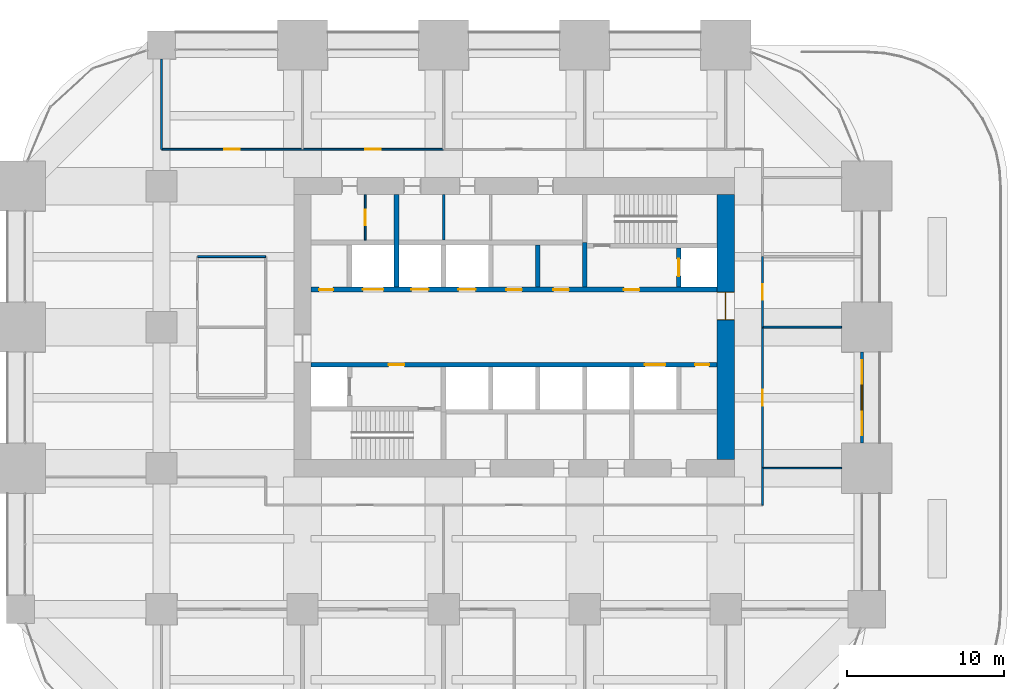
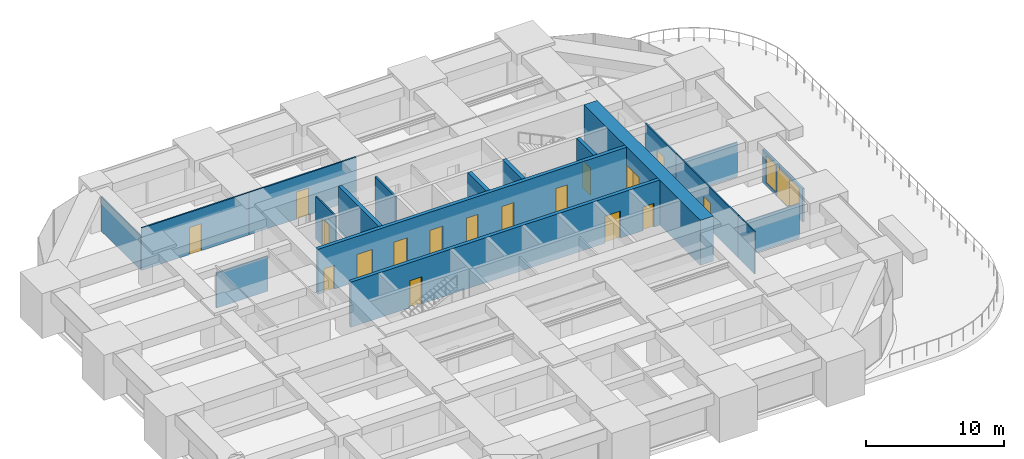
# One storey, part 32 of 35: 19 walls, 18 doors, 2 windows, 20 openings.
"""IFC4 building model written with IfcOpenShell, lengths in metres."""

from ifc_helpers import new_model, si_unit, direction, frame, frame_2d, origin, place, context, subcontext, project, spatial, rectangle, extrude, material, layer, layer_set, type_object, element, fill, save


model = new_model("IFC4")

# Units and contexts
model_context = context("Model", 3, precision=1e-05, world=origin(), true_north=direction((0.0, 1.0)))
body_context = subcontext(model_context, "Body", "Model", "MODEL_VIEW")
ifc_project = project(units=[si_unit("LENGTHUNIT", "METRE"), si_unit("AREAUNIT", "SQUARE_METRE"), si_unit("VOLUMEUNIT", "CUBIC_METRE"), si_unit("PLANEANGLEUNIT", "RADIAN"), si_unit("MASSUNIT", "GRAM", prefix="KILO")], contexts=[model_context])

# Site, building, storey
site_placement = place(None, origin())
site = spatial("IfcSite", under=ifc_project, at=site_placement, CompositionType="ELEMENT")
building_placement = place(site_placement, origin())
building = spatial("IfcBuilding", under=site, at=building_placement, Name="Zorevar Civic Tower", CompositionType="ELEMENT")
storey_placement = place(building_placement, frame((0.0, 0.0, 162.199951171875)))
storey = spatial("IfcBuildingStorey", under=building, at=storey_placement, Name="L39", CompositionType="ELEMENT", Elevation=162.199951171875)

# Wall, opening, door
ifc_material_1 = material(Name="Concrete C50/60", Category="concrete")
ifc_layer_1 = layer(ifc_material_1, 1.10009765625)
ifc_layer_set_1 = layer_set([ifc_layer_1], Name="Core wall 1100")
wall_type_1 = type_object("IfcWallType", Name="Core wall 1100", PredefinedType="SHEAR", material=ifc_layer_set_1)
wall_1_placement = place(storey_placement, frame((45.0, 18.550048828125, 0.0), z_axis=(0.0, 0.0, 1.0), x_axis=(0.0, 1.0, 0.0)))
wall_1 = element("IfcWall", 1, at=wall_1_placement, inside=storey, type_object=wall_type_1, Name="Core wall E L39", PredefinedType="SHEAR", context=body_context, shape_type="SweptSolid", body=[
    extrude(rectangle(XDim=16.89990234375, YDim=1.10009765625, at=frame_2d((8.449951171875, 0.0))), origin(), (0.0, 0.0, 1.0), 4.0),
])
opening_1_placement = place(wall_1_placement, frame((8.89990234375, 0.0, 0.0)))
opening_1 = element("IfcOpeningElement", 2, at=opening_1_placement, cuts=wall_1, Name="Opening L39.02", PredefinedType="OPENING", context=body_context, shape_type="SweptSolid", body=[
    extrude(rectangle(XDim=1.800048828125, YDim=2.39990234375, at=frame_2d((0.89990234375, 1.199951171875))), frame((0.0, 0.56005859375, 0.0), z_axis=(0.0, -1.0, 0.0), x_axis=(1.0, 0.0, 0.0)), (0.0, 0.0, 1.0), 1.1201171875),
])
ifc_material_2 = material(Name="Steel door set", Category="steel")
door_type_1 = type_object("IfcDoorType", Name="Fire door FD2 1800x2400", OperationType="DOUBLE_DOOR_DOUBLE_SWING", PredefinedType="DOOR", material=ifc_material_2)
door_1_placement = place(opening_1_placement, origin())
door_1 = element("IfcDoor", 3, at=door_1_placement, inside=storey, type_object=door_type_1, Name="Door L39 01", OperationType="DOUBLE_DOOR_DOUBLE_SWING", OverallHeight=2.39990234375, OverallWidth=1.800048828125, PredefinedType="DOOR", context=body_context, shape_type="SweptSolid", body=[
    extrude(rectangle(XDim=1.800048828125, YDim=2.39990234375, at=frame_2d((0.89990234375, 1.199951171875))), frame((0.0, 0.030029296875, 0.0), z_axis=(0.0, -1.0, 0.0), x_axis=(1.0, 0.0, 0.0)), (0.0, 0.0, 1.0), 0.06005859375),
    extrude(rectangle(XDim=0.04, YDim=2.39990234375, at=frame_2d((0.02001953125, 1.199951171875))), frame((0.0, 0.5498046875, 0.0), z_axis=(0.0, -1.0, 0.0), x_axis=(1.0, 0.0, 0.0)), (0.0, 0.0, 1.0), 1.099609375),
    extrude(rectangle(XDim=0.04, YDim=2.39990234375, at=frame_2d((1.780029296875, 1.199951171875))), frame((0.0, 0.5498046875, 0.0), z_axis=(0.0, -1.0, 0.0), x_axis=(1.0, 0.0, 0.0)), (0.0, 0.0, 1.0), 1.099609375),
    extrude(rectangle(XDim=1.800048828125, YDim=0.04, at=frame_2d((0.89990234375, 2.3798828125))), frame((0.0, 0.5498046875, 0.0), z_axis=(0.0, -1.0, 0.0), x_axis=(1.0, 0.0, 0.0)), (0.0, 0.0, 1.0), 1.099609375),
])
fill(opening_1, door_1)

# Walls
ifc_material_3 = material(Name="Laminated glass in black aluminium frame", Category="aluminium")
ifc_layer_2 = layer(ifc_material_3, 0.10009765625)
ifc_layer_set_2 = layer_set([ifc_layer_2], Name="Glazed partition 100")
wall_type_2 = type_object("IfcWallType", Name="Glazed partition 100", PredefinedType="PARTITIONING", material=ifc_layer_set_2)
wall_2_placement = place(storey_placement, frame((47.35009765625, 18.0, 0.0), z_axis=(0.0, 0.0, 1.0), x_axis=(1.0, 0.0, 0.0)))
element("IfcWall", 4, at=wall_2_placement, inside=storey, type_object=wall_type_2, Name="Glazed partition 100 L39", PredefinedType="PARTITIONING", context=body_context, shape_type="SweptSolid", body=[
    extrude(rectangle(XDim=5.0498046875, YDim=0.10009765625, at=frame_2d((2.52490234375, 0.0))), origin(), (0.0, 0.0, 1.0), 3.050048828125),
])
wall_3_placement = place(storey_placement, frame((47.35009765625, 15.64990234375, 0.0), z_axis=(0.0, 0.0, 1.0), x_axis=(0.0, 1.0, 0.0)))
element("IfcWall", 5, at=wall_3_placement, inside=storey, type_object=wall_type_2, Name="Glazed partition 100 L39", PredefinedType="PARTITIONING", context=body_context, shape_type="SweptSolid", body=[
    extrude(rectangle(XDim=2.35009765625, YDim=0.10009765625, at=frame_2d((1.175048828125, 0.0))), origin(), (0.0, 0.0, 1.0), 3.75),
])

# Wall, opening, door
wall_4_placement = place(storey_placement, frame((47.35009765625, 18.0, 0.0), z_axis=(0.0, 0.0, 1.0), x_axis=(0.0, 1.0, 0.0)))
wall_4 = element("IfcWall", 6, at=wall_4_placement, inside=storey, type_object=wall_type_2, Name="Glazed partition 100 L39", PredefinedType="PARTITIONING", context=body_context, shape_type="SweptSolid", body=[
    extrude(rectangle(XDim=9.0, YDim=0.10009765625, at=frame_2d((4.5, 0.0))), origin(), (0.0, 0.0, 1.0), 3.75),
])
opening_2_placement = place(wall_4_placement, frame((4.0, 0.0, 0.0)))
opening_2 = element("IfcOpeningElement", 7, at=opening_2_placement, cuts=wall_4, Name="Opening L39.32", PredefinedType="OPENING", context=body_context, shape_type="SweptSolid", body=[
    extrude(rectangle(XDim=1.0, YDim=2.39990234375, at=frame_2d((0.5, 1.199951171875))), frame((0.0, 0.06005859375, 0.0), z_axis=(0.0, -1.0, 0.0), x_axis=(1.0, 0.0, 0.0)), (0.0, 0.0, 1.0), 0.1201171875),
])
ifc_material_4 = material(Name="Timber door set", Category="wood")
door_type_2 = type_object("IfcDoorType", Name="Glazed door GD1 1000x2400", OperationType="SINGLE_SWING_LEFT", PredefinedType="DOOR", material=ifc_material_4)
door_2_placement = place(opening_2_placement, origin())
door_2 = element("IfcDoor", 8, at=door_2_placement, inside=storey, type_object=door_type_2, Name="Door L39 D1", OperationType="SINGLE_SWING_LEFT", OverallHeight=2.39990234375, OverallWidth=1.0, PredefinedType="DOOR", context=body_context, shape_type="SweptSolid", body=[
    extrude(rectangle(XDim=1.0, YDim=2.39990234375, at=frame_2d((0.5, 1.199951171875))), frame((0.0, 0.02001953125, 0.0), z_axis=(0.0, -1.0, 0.0), x_axis=(1.0, 0.0, 0.0)), (0.0, 0.0, 1.0), 0.0400390625),
])
fill(opening_2, door_2)

ifc_material_5 = material(Name="Concrete C40/50", Category="concrete")
ifc_layer_3 = layer(ifc_material_5, 0.300048828125)
ifc_layer_set_3 = layer_set([ifc_layer_3], Name="Inner core wall 300")
wall_type_3 = type_object("IfcWallType", Name="Inner core wall 300", PredefinedType="SHEAR", material=ifc_layer_set_3)
wall_5_placement = place(storey_placement, frame((42.0, 29.550048828125, 0.0), z_axis=(0.0, 0.0, 1.0), x_axis=(0.0, 1.0, 0.0)))
wall_5 = element("IfcWall", 9, at=wall_5_placement, inside=storey, type_object=wall_type_3, Name="Inner core wall N02 L39", PredefinedType="SHEAR", context=body_context, shape_type="SweptSolid", body=[
    extrude(rectangle(XDim=2.5, YDim=0.300048828125, at=frame_2d((1.25, 0.0))), origin(), (0.0, 0.0, 1.0), 4.0),
])
opening_3_placement = place(wall_5_placement, frame((0.699951171875, 0.0, 0.0)))
opening_3 = element("IfcOpeningElement", 10, at=opening_3_placement, cuts=wall_5, Name="Opening L39.FL2", PredefinedType="OPENING", context=body_context, shape_type="SweptSolid", body=[
    extrude(rectangle(XDim=1.10009765625, YDim=2.39990234375, at=frame_2d((0.550048828125, 1.199951171875))), frame((0.0, 0.159912109375, 0.0), z_axis=(0.0, -1.0, 0.0), x_axis=(1.0, 0.0, 0.0)), (0.0, 0.0, 1.0), 0.320068359375),
])
ifc_material_6 = material(Name="Steel door set", Category="steel")
door_type_3 = type_object("IfcDoorType", Name="Firefighting lift landing door LD3 1100x2400", OperationType="DOUBLE_DOOR_SLIDING", PredefinedType="DOOR", material=ifc_material_6)
door_3_placement = place(opening_3_placement, origin())
door_3 = element("IfcDoor", 11, at=door_3_placement, inside=storey, type_object=door_type_3, Name="Landing door FL2 L39", OperationType="DOUBLE_DOOR_SLIDING", OverallHeight=2.39990234375, OverallWidth=1.10009765625, PredefinedType="DOOR", context=body_context, shape_type="SweptSolid", body=[
    extrude(rectangle(XDim=1.10009765625, YDim=2.39990234375, at=frame_2d((0.550048828125, 1.199951171875))), frame((0.0, 0.030029296875, 0.0), z_axis=(0.0, -1.0, 0.0), x_axis=(1.0, 0.0, 0.0)), (0.0, 0.0, 1.0), 0.06005859375),
])
fill(opening_3, door_3)

# Wall, openings, doors
wall_6_placement = place(storey_placement, frame((18.550048828125, 24.60009765625, 0.0), z_axis=(0.0, 0.0, 1.0), x_axis=(1.0, 0.0, 0.0)))
wall_6 = element("IfcWall", 12, at=wall_6_placement, inside=storey, type_object=wall_type_3, Name="Inner core wall S03 L39", PredefinedType="SHEAR", context=body_context, shape_type="SweptSolid", body=[
    extrude(rectangle(XDim=25.89990234375, YDim=0.300048828125, at=frame_2d((12.949951171875, 0.0))), origin(), (0.0, 0.0, 1.0), 4.0),
])
opening_4_placement = place(wall_6_placement, frame((4.949951171875, 0.0, 0.0)))
opening_4 = element("IfcOpeningElement", 13, at=opening_4_placement, cuts=wall_6, Name="Opening L39.13", PredefinedType="OPENING", context=body_context, shape_type="SweptSolid", body=[
    extrude(rectangle(XDim=1.0, YDim=2.39990234375, at=frame_2d((0.5, 1.199951171875))), frame((0.0, 0.159912109375, 0.0), z_axis=(0.0, -1.0, 0.0), x_axis=(1.0, 0.0, 0.0)), (0.0, 0.0, 1.0), 0.320068359375),
])
opening_5_placement = place(wall_6_placement, frame((24.5, 0.0, 0.0)))
opening_5 = element("IfcOpeningElement", 14, at=opening_5_placement, cuts=wall_6, Name="Opening L39.15", PredefinedType="OPENING", context=body_context, shape_type="SweptSolid", body=[
    extrude(rectangle(XDim=0.89990234375, YDim=2.10009765625, at=frame_2d((0.449951171875, 1.050048828125))), frame((0.0, 0.159912109375, 0.0), z_axis=(0.0, -1.0, 0.0), x_axis=(1.0, 0.0, 0.0)), (0.0, 0.0, 1.0), 0.320068359375),
])
opening_6_placement = place(wall_6_placement, frame((21.300048828125, 0.0, 0.0)))
opening_6 = element("IfcOpeningElement", 15, at=opening_6_placement, cuts=wall_6, Name="Opening L39.SL1", PredefinedType="OPENING", context=body_context, shape_type="SweptSolid", body=[
    extrude(rectangle(XDim=1.300048828125, YDim=2.39990234375, at=frame_2d((0.64990234375, 1.199951171875))), frame((0.0, 0.159912109375, 0.0), z_axis=(0.0, -1.0, 0.0), x_axis=(1.0, 0.0, 0.0)), (0.0, 0.0, 1.0), 0.320068359375),
])
ifc_material_7 = material(Name="Steel door set", Category="steel")
door_type_4 = type_object("IfcDoorType", Name="Fire door FD1 1000x2400", OperationType="SINGLE_SWING_LEFT", PredefinedType="DOOR", material=ifc_material_7)
door_4_placement = place(opening_4_placement, origin())
door_4 = element("IfcDoor", 16, at=door_4_placement, inside=storey, type_object=door_type_4, Name="Door L39 12", OperationType="SINGLE_SWING_RIGHT", OverallHeight=2.39990234375, OverallWidth=1.0, PredefinedType="DOOR", context=body_context, shape_type="SweptSolid", body=[
    extrude(rectangle(XDim=1.0, YDim=2.39990234375, at=frame_2d((0.5, 1.199951171875))), frame((0.0, 0.030029296875, 0.0), z_axis=(0.0, -1.0, 0.0), x_axis=(1.0, 0.0, 0.0)), (0.0, 0.0, 1.0), 0.06005859375),
])
fill(opening_4, door_4)
ifc_material_8 = material(Name="Steel door set", Category="steel")
door_type_5 = type_object("IfcDoorType", Name="Landing door LD2 1300x2400", OperationType="DOUBLE_DOOR_SLIDING", PredefinedType="DOOR", material=ifc_material_8)
door_5_placement = place(opening_6_placement, origin())
door_5 = element("IfcDoor", 17, at=door_5_placement, inside=storey, type_object=door_type_5, Name="Landing door SL1 L39", OperationType="DOUBLE_DOOR_SLIDING", OverallHeight=2.39990234375, OverallWidth=1.300048828125, PredefinedType="DOOR", context=body_context, shape_type="SweptSolid", body=[
    extrude(rectangle(XDim=1.300048828125, YDim=2.39990234375, at=frame_2d((0.64990234375, 1.199951171875))), frame((0.0, 0.02001953125, 0.0), z_axis=(0.0, -1.0, 0.0), x_axis=(1.0, 0.0, 0.0)), (0.0, 0.0, 1.0), 0.0400390625),
])
fill(opening_6, door_5)
ifc_material_9 = material(Name="Steel door set", Category="steel")
door_type_6 = type_object("IfcDoorType", Name="Riser door RD1 900x2100", OperationType="SINGLE_SWING_LEFT", PredefinedType="DOOR", material=ifc_material_9)
door_6_placement = place(opening_5_placement, origin())
door_6 = element("IfcDoor", 18, at=door_6_placement, inside=storey, type_object=door_type_6, Name="Door L39 14", OperationType="SINGLE_SWING_RIGHT", OverallHeight=2.10009765625, OverallWidth=0.89990234375, PredefinedType="DOOR", context=body_context, shape_type="SweptSolid", body=[
    extrude(rectangle(XDim=0.89990234375, YDim=2.10009765625, at=frame_2d((0.449951171875, 1.050048828125))), frame((0.0, 0.030029296875, 0.0), z_axis=(0.0, -1.0, 0.0), x_axis=(1.0, 0.0, 0.0)), (0.0, 0.0, 1.0), 0.06005859375),
])
fill(opening_5, door_6)

wall_7_placement = place(storey_placement, frame((18.550048828125, 29.39990234375, 0.0), z_axis=(0.0, 0.0, 1.0), x_axis=(1.0, 0.0, 0.0)))
wall_7 = element("IfcWall", 19, at=wall_7_placement, inside=storey, type_object=wall_type_3, Name="Inner core wall N03 L39", PredefinedType="SHEAR", context=body_context, shape_type="SweptSolid", body=[
    extrude(rectangle(XDim=25.89990234375, YDim=0.300048828125, at=frame_2d((12.949951171875, 0.0))), origin(), (0.0, 0.0, 1.0), 4.0),
])
opening_7_placement = place(wall_7_placement, frame((19.949951171875, 0.0, 0.0)))
opening_7 = element("IfcOpeningElement", 20, at=opening_7_placement, cuts=wall_7, Name="Opening L39.14", PredefinedType="OPENING", context=body_context, shape_type="SweptSolid", body=[
    extrude(rectangle(XDim=1.0, YDim=2.39990234375, at=frame_2d((0.5, 1.199951171875))), frame((0.0, 0.159912109375, 0.0), z_axis=(0.0, -1.0, 0.0), x_axis=(1.0, 0.0, 0.0)), (0.0, 0.0, 1.0), 0.320068359375),
])
opening_8_placement = place(wall_7_placement, frame((0.5, 0.0, 0.0)))
opening_8 = element("IfcOpeningElement", 21, at=opening_8_placement, cuts=wall_7, Name="Opening L39.16", PredefinedType="OPENING", context=body_context, shape_type="SweptSolid", body=[
    extrude(rectangle(XDim=0.89990234375, YDim=2.10009765625, at=frame_2d((0.449951171875, 1.050048828125))), frame((0.0, 0.159912109375, 0.0), z_axis=(0.0, -1.0, 0.0), x_axis=(1.0, 0.0, 0.0)), (0.0, 0.0, 1.0), 0.320068359375),
])
opening_9_placement = place(wall_7_placement, frame((15.449951171875, 0.0, 0.0)))
opening_9 = element("IfcOpeningElement", 22, at=opening_9_placement, cuts=wall_7, Name="Opening L39.35", PredefinedType="OPENING", context=body_context, shape_type="SweptSolid", body=[
    extrude(rectangle(XDim=1.0, YDim=2.39990234375, at=frame_2d((0.5, 1.199951171875))), frame((0.0, 0.159912109375, 0.0), z_axis=(0.0, -1.0, 0.0), x_axis=(1.0, 0.0, 0.0)), (0.0, 0.0, 1.0), 0.320068359375),
])
opening_10_placement = place(wall_7_placement, frame((12.449951171875, 0.0, 0.0)))
opening_10 = element("IfcOpeningElement", 23, at=opening_10_placement, cuts=wall_7, Name="Opening L39.36", PredefinedType="OPENING", context=body_context, shape_type="SweptSolid", body=[
    extrude(rectangle(XDim=1.0, YDim=2.39990234375, at=frame_2d((0.5, 1.199951171875))), frame((0.0, 0.159912109375, 0.0), z_axis=(0.0, -1.0, 0.0), x_axis=(1.0, 0.0, 0.0)), (0.0, 0.0, 1.0), 0.320068359375),
])
opening_11_placement = place(wall_7_placement, frame((9.39990234375, 0.0, 0.0)))
opening_11 = element("IfcOpeningElement", 24, at=opening_11_placement, cuts=wall_7, Name="Opening L39.LH1", PredefinedType="OPENING", context=body_context, shape_type="SweptSolid", body=[
    extrude(rectangle(XDim=1.10009765625, YDim=2.39990234375, at=frame_2d((0.550048828125, 1.199951171875))), frame((0.0, 0.159912109375, 0.0), z_axis=(0.0, -1.0, 0.0), x_axis=(1.0, 0.0, 0.0)), (0.0, 0.0, 1.0), 0.320068359375),
])
opening_12_placement = place(wall_7_placement, frame((6.39990234375, 0.0, 0.0)))
opening_12 = element("IfcOpeningElement", 25, at=opening_12_placement, cuts=wall_7, Name="Opening L39.LH2", PredefinedType="OPENING", context=body_context, shape_type="SweptSolid", body=[
    extrude(rectangle(XDim=1.10009765625, YDim=2.39990234375, at=frame_2d((0.550048828125, 1.199951171875))), frame((0.0, 0.159912109375, 0.0), z_axis=(0.0, -1.0, 0.0), x_axis=(1.0, 0.0, 0.0)), (0.0, 0.0, 1.0), 0.320068359375),
])
opening_13_placement = place(wall_7_placement, frame((3.300048828125, 0.0, 0.0)))
opening_13 = element("IfcOpeningElement", 26, at=opening_13_placement, cuts=wall_7, Name="Opening L39.SL2", PredefinedType="OPENING", context=body_context, shape_type="SweptSolid", body=[
    extrude(rectangle(XDim=1.300048828125, YDim=2.39990234375, at=frame_2d((0.64990234375, 1.199951171875))), frame((0.0, 0.159912109375, 0.0), z_axis=(0.0, -1.0, 0.0), x_axis=(1.0, 0.0, 0.0)), (0.0, 0.0, 1.0), 0.320068359375),
])
door_7_placement = place(opening_7_placement, origin())
door_7 = element("IfcDoor", 27, at=door_7_placement, inside=storey, type_object=door_type_4, Name="Door L39 13", OperationType="SINGLE_SWING_RIGHT", OverallHeight=2.39990234375, OverallWidth=1.0, PredefinedType="DOOR", context=body_context, shape_type="SweptSolid", body=[
    extrude(rectangle(XDim=1.0, YDim=2.39990234375, at=frame_2d((0.5, 1.199951171875))), frame((0.0, 0.030029296875, 0.0), z_axis=(0.0, -1.0, 0.0), x_axis=(1.0, 0.0, 0.0)), (0.0, 0.0, 1.0), 0.06005859375),
])
fill(opening_7, door_7)
door_8_placement = place(opening_9_placement, origin())
door_8 = element("IfcDoor", 28, at=door_8_placement, inside=storey, type_object=door_type_4, Name="Door L39 LM1 shaft room", OperationType="SINGLE_SWING_LEFT", OverallHeight=2.39990234375, OverallWidth=1.0, PredefinedType="DOOR", context=body_context, shape_type="SweptSolid", body=[
    extrude(rectangle(XDim=1.0, YDim=2.39990234375, at=frame_2d((0.5, 1.199951171875))), frame((0.0, 0.030029296875, 0.0), z_axis=(0.0, -1.0, 0.0), x_axis=(1.0, 0.0, 0.0)), (0.0, 0.0, 1.0), 0.06005859375),
])
fill(opening_9, door_8)
door_9_placement = place(opening_10_placement, origin())
door_9 = element("IfcDoor", 29, at=door_9_placement, inside=storey, type_object=door_type_4, Name="Door L39 LM2 shaft room", OperationType="SINGLE_SWING_RIGHT", OverallHeight=2.39990234375, OverallWidth=1.0, PredefinedType="DOOR", context=body_context, shape_type="SweptSolid", body=[
    extrude(rectangle(XDim=1.0, YDim=2.39990234375, at=frame_2d((0.5, 1.199951171875))), frame((0.0, 0.030029296875, 0.0), z_axis=(0.0, -1.0, 0.0), x_axis=(1.0, 0.0, 0.0)), (0.0, 0.0, 1.0), 0.06005859375),
])
fill(opening_10, door_9)
ifc_material_10 = material(Name="Steel door set", Category="steel")
door_type_7 = type_object("IfcDoorType", Name="Landing door LD1 1100x2400", OperationType="DOUBLE_DOOR_SLIDING", PredefinedType="DOOR", material=ifc_material_10)
door_10_placement = place(opening_11_placement, origin())
door_10 = element("IfcDoor", 30, at=door_10_placement, inside=storey, type_object=door_type_7, Name="Landing door LH1 L39", OperationType="DOUBLE_DOOR_SLIDING", OverallHeight=2.39990234375, OverallWidth=1.10009765625, PredefinedType="DOOR", context=body_context, shape_type="SweptSolid", body=[
    extrude(rectangle(XDim=1.10009765625, YDim=2.39990234375, at=frame_2d((0.550048828125, 1.199951171875))), frame((0.0, 0.02001953125, 0.0), z_axis=(0.0, -1.0, 0.0), x_axis=(1.0, 0.0, 0.0)), (0.0, 0.0, 1.0), 0.0400390625),
])
fill(opening_11, door_10)
door_11_placement = place(opening_12_placement, origin())
door_11 = element("IfcDoor", 31, at=door_11_placement, inside=storey, type_object=door_type_7, Name="Landing door LH2 L39", OperationType="DOUBLE_DOOR_SLIDING", OverallHeight=2.39990234375, OverallWidth=1.10009765625, PredefinedType="DOOR", context=body_context, shape_type="SweptSolid", body=[
    extrude(rectangle(XDim=1.10009765625, YDim=2.39990234375, at=frame_2d((0.550048828125, 1.199951171875))), frame((0.0, 0.02001953125, 0.0), z_axis=(0.0, -1.0, 0.0), x_axis=(1.0, 0.0, 0.0)), (0.0, 0.0, 1.0), 0.0400390625),
])
fill(opening_12, door_11)
door_12_placement = place(opening_13_placement, origin())
door_12 = element("IfcDoor", 32, at=door_12_placement, inside=storey, type_object=door_type_5, Name="Landing door SL2 L39", OperationType="DOUBLE_DOOR_SLIDING", OverallHeight=2.39990234375, OverallWidth=1.300048828125, PredefinedType="DOOR", context=body_context, shape_type="SweptSolid", body=[
    extrude(rectangle(XDim=1.300048828125, YDim=2.39990234375, at=frame_2d((0.64990234375, 1.199951171875))), frame((0.0, 0.02001953125, 0.0), z_axis=(0.0, -1.0, 0.0), x_axis=(1.0, 0.0, 0.0)), (0.0, 0.0, 1.0), 0.0400390625),
])
fill(opening_13, door_12)
door_13_placement = place(opening_8_placement, origin())
door_13 = element("IfcDoor", 33, at=door_13_placement, inside=storey, type_object=door_type_6, Name="Door L39 15", OperationType="SINGLE_SWING_RIGHT", OverallHeight=2.10009765625, OverallWidth=0.89990234375, PredefinedType="DOOR", context=body_context, shape_type="SweptSolid", body=[
    extrude(rectangle(XDim=0.89990234375, YDim=2.10009765625, at=frame_2d((0.449951171875, 1.050048828125))), frame((0.0, 0.030029296875, 0.0), z_axis=(0.0, -1.0, 0.0), x_axis=(1.0, 0.0, 0.0)), (0.0, 0.0, 1.0), 0.06005859375),
])
fill(opening_8, door_13)

# Walls
wall_8_placement = place(storey_placement, frame((33.0, 29.550048828125, 0.0), z_axis=(0.0, 0.0, 1.0), x_axis=(0.0, 1.0, 0.0)))
element("IfcWall", 34, at=wall_8_placement, inside=storey, type_object=wall_type_3, Name="Inner core wall N05 L39", PredefinedType="SHEAR", context=body_context, shape_type="SweptSolid", body=[
    extrude(rectangle(XDim=2.699951171875, YDim=0.300048828125, at=frame_2d((1.35009765625, 0.0))), origin(), (0.0, 0.0, 1.0), 4.0),
])
wall_9_placement = place(storey_placement, frame((24.0, 29.550048828125, 0.0), z_axis=(0.0, 0.0, 1.0), x_axis=(0.0, 1.0, 0.0)))
element("IfcWall", 35, at=wall_9_placement, inside=storey, type_object=wall_type_3, Name="Inner core wall N08 L39", PredefinedType="SHEAR", context=body_context, shape_type="SweptSolid", body=[
    extrude(rectangle(XDim=5.89990234375, YDim=0.300048828125, at=frame_2d((2.949951171875, 0.0))), origin(), (0.0, 0.0, 1.0), 4.0),
])
wall_10_placement = place(storey_placement, frame((36.0, 29.550048828125, 0.0), z_axis=(0.0, 0.0, 1.0), x_axis=(0.0, 1.0, 0.0)))
element("IfcWall", 36, at=wall_10_placement, inside=storey, type_object=wall_type_3, Name="Inner core wall N10 L39", PredefinedType="SHEAR", context=body_context, shape_type="SweptSolid", body=[
    extrude(rectangle(XDim=2.849853515625, YDim=0.300048828125, at=frame_2d((1.4248046875, 0.0))), origin(), (0.0, 0.0, 1.0), 4.0),
])
ifc_material_11 = material(Name="Gypsum board on steel studs", Category="steel")
ifc_layer_4 = layer(ifc_material_11, 0.1201171875)
ifc_layer_set_4 = layer_set([ifc_layer_4], Name="Partition 120")
wall_type_4 = type_object("IfcWallType", Name="Partition 120", PredefinedType="PARTITIONING", material=ifc_layer_set_4)
wall_11_placement = place(storey_placement, frame((47.35009765625, 27.0, 0.0), z_axis=(0.0, 0.0, 1.0), x_axis=(1.0, 0.0, 0.0)))
element("IfcWall", 37, at=wall_11_placement, inside=storey, type_object=wall_type_4, Name="Partition 120 L39", PredefinedType="PARTITIONING", context=body_context, shape_type="SweptSolid", body=[
    extrude(rectangle(XDim=5.0498046875, YDim=0.1201171875, at=frame_2d((2.52490234375, 0.0))), origin(), (0.0, 0.0, 1.0), 3.050048828125),
])
wall_12_placement = place(storey_placement, frame((11.300048828125, 31.5, 0.0), z_axis=(0.0, 0.0, 1.0), x_axis=(1.0, 0.0, 0.0)))
element("IfcWall", 38, at=wall_12_placement, inside=storey, type_object=wall_type_4, Name="Partition 120 L39", PredefinedType="PARTITIONING", context=body_context, shape_type="SweptSolid", body=[
    extrude(rectangle(XDim=4.349853515625, YDim=0.1201171875, at=frame_2d((2.1748046875, 0.0))), origin(), (0.0, 0.0, 1.0), 3.10009765625),
])

# Wall, opening, door
wall_13_placement = place(storey_placement, frame((9.0, 38.35009765625, 0.0), z_axis=(0.0, 0.0, 1.0), x_axis=(1.0, 0.0, 0.0)))
wall_13 = element("IfcWall", 39, at=wall_13_placement, inside=storey, type_object=wall_type_4, Name="Partition 120 L39", PredefinedType="PARTITIONING", context=body_context, shape_type="SweptSolid", body=[
    extrude(rectangle(XDim=9.0, YDim=0.1201171875, at=frame_2d((4.5, 0.0))), origin(), (0.0, 0.0, 1.0), 3.75),
])
opening_14_placement = place(wall_13_placement, frame((4.0, 0.0, 0.0)))
opening_14 = element("IfcOpeningElement", 40, at=opening_14_placement, cuts=wall_13, Name="Opening L39.24", PredefinedType="OPENING", context=body_context, shape_type="SweptSolid", body=[
    extrude(rectangle(XDim=1.0, YDim=2.39990234375, at=frame_2d((0.5, 1.199951171875))), frame((0.0, 0.070068359375, 0.0), z_axis=(0.0, -1.0, 0.0), x_axis=(1.0, 0.0, 0.0)), (0.0, 0.0, 1.0), 0.14013671875),
])
ifc_material_12 = material(Name="Timber door set", Category="wood")
door_type_8 = type_object("IfcDoorType", Name="Door D1 1000x2400", OperationType="SINGLE_SWING_LEFT", PredefinedType="DOOR", material=ifc_material_12)
door_14_placement = place(opening_14_placement, origin())
door_14 = element("IfcDoor", 41, at=door_14_placement, inside=storey, type_object=door_type_8, Name="Door L39 D1", OperationType="SINGLE_SWING_RIGHT", OverallHeight=2.39990234375, OverallWidth=1.0, PredefinedType="DOOR", context=body_context, shape_type="SweptSolid", body=[
    extrude(rectangle(XDim=1.0, YDim=2.39990234375, at=frame_2d((0.5, 1.199951171875))), frame((0.0, 0.02490234375, 0.0), z_axis=(0.0, -1.0, 0.0), x_axis=(1.0, 0.0, 0.0)), (0.0, 0.0, 1.0), 0.050048828125),
])
fill(opening_14, door_14)

wall_14_placement = place(storey_placement, frame((18.0, 38.35009765625, 0.0), z_axis=(0.0, 0.0, 1.0), x_axis=(1.0, 0.0, 0.0)))
wall_14 = element("IfcWall", 42, at=wall_14_placement, inside=storey, type_object=wall_type_4, Name="Partition 120 L39", PredefinedType="PARTITIONING", context=body_context, shape_type="SweptSolid", body=[
    extrude(rectangle(XDim=9.0, YDim=0.1201171875, at=frame_2d((4.5, 0.0))), origin(), (0.0, 0.0, 1.0), 3.75),
])
opening_15_placement = place(wall_14_placement, frame((4.0, 0.0, 0.0)))
opening_15 = element("IfcOpeningElement", 43, at=opening_15_placement, cuts=wall_14, Name="Opening L39.25", PredefinedType="OPENING", context=body_context, shape_type="SweptSolid", body=[
    extrude(rectangle(XDim=1.0, YDim=2.39990234375, at=frame_2d((0.5, 1.199951171875))), frame((0.0, 0.070068359375, 0.0), z_axis=(0.0, -1.0, 0.0), x_axis=(1.0, 0.0, 0.0)), (0.0, 0.0, 1.0), 0.14013671875),
])
door_15_placement = place(opening_15_placement, origin())
door_15 = element("IfcDoor", 44, at=door_15_placement, inside=storey, type_object=door_type_8, Name="Door L39 D1", OperationType="SINGLE_SWING_RIGHT", OverallHeight=2.39990234375, OverallWidth=1.0, PredefinedType="DOOR", context=body_context, shape_type="SweptSolid", body=[
    extrude(rectangle(XDim=1.0, YDim=2.39990234375, at=frame_2d((0.5, 1.199951171875))), frame((0.0, 0.02490234375, 0.0), z_axis=(0.0, -1.0, 0.0), x_axis=(1.0, 0.0, 0.0)), (0.0, 0.0, 1.0), 0.050048828125),
])
fill(opening_15, door_15)

# Wall
wall_15_placement = place(storey_placement, frame((9.0, 38.35009765625, 0.0), z_axis=(0.0, 0.0, 1.0), x_axis=(0.0, 1.0, 0.0)))
element("IfcWall", 45, at=wall_15_placement, inside=storey, type_object=wall_type_4, Name="Partition 120 L39", PredefinedType="PARTITIONING", context=body_context, shape_type="SweptSolid", body=[
    extrude(rectangle(XDim=5.75, YDim=0.1201171875, at=frame_2d((2.875, 0.0))), origin(), (0.0, 0.0, 1.0), 3.050048828125),
])

# Wall, opening, door
wall_16_placement = place(storey_placement, frame((47.35009765625, 27.0, 0.0), z_axis=(0.0, 0.0, 1.0), x_axis=(0.0, 1.0, 0.0)))
wall_16 = element("IfcWall", 46, at=wall_16_placement, inside=storey, type_object=wall_type_4, Name="Partition 120 L39", PredefinedType="PARTITIONING", context=body_context, shape_type="SweptSolid", body=[
    extrude(rectangle(XDim=4.5, YDim=0.1201171875, at=frame_2d((2.25, 0.0))), origin(), (0.0, 0.0, 1.0), 3.75),
])
opening_16_placement = place(wall_16_placement, frame((1.75, 0.0, 0.0)))
opening_16 = element("IfcOpeningElement", 47, at=opening_16_placement, cuts=wall_16, Name="Opening L39.31", PredefinedType="OPENING", context=body_context, shape_type="SweptSolid", body=[
    extrude(rectangle(XDim=1.0, YDim=2.39990234375, at=frame_2d((0.5, 1.199951171875))), frame((0.0, 0.070068359375, 0.0), z_axis=(0.0, -1.0, 0.0), x_axis=(1.0, 0.0, 0.0)), (0.0, 0.0, 1.0), 0.14013671875),
])
door_16_placement = place(opening_16_placement, origin())
door_16 = element("IfcDoor", 48, at=door_16_placement, inside=storey, type_object=door_type_8, Name="Door L39 D1", OperationType="SINGLE_SWING_RIGHT", OverallHeight=2.39990234375, OverallWidth=1.0, PredefinedType="DOOR", context=body_context, shape_type="SweptSolid", body=[
    extrude(rectangle(XDim=1.0, YDim=2.39990234375, at=frame_2d((0.5, 1.199951171875))), frame((0.0, 0.02490234375, 0.0), z_axis=(0.0, -1.0, 0.0), x_axis=(1.0, 0.0, 0.0)), (0.0, 0.0, 1.0), 0.050048828125),
])
fill(opening_16, door_16)

wall_17_placement = place(storey_placement, frame((22.0, 32.550048828125, 0.0), z_axis=(0.0, 0.0, 1.0), x_axis=(0.0, 1.0, 0.0)))
wall_17 = element("IfcWall", 49, at=wall_17_placement, inside=storey, type_object=wall_type_4, Name="Partition L39", PredefinedType="PARTITIONING", context=body_context, shape_type="SweptSolid", body=[
    extrude(rectangle(XDim=2.89990234375, YDim=0.1201171875, at=frame_2d((1.449951171875, 0.0))), origin(), (0.0, 0.0, 1.0), 3.75),
])
opening_17_placement = place(wall_17_placement, frame((0.949951171875, 0.0, 0.0)))
opening_17 = element("IfcOpeningElement", 50, at=opening_17_placement, cuts=wall_17, Name="Opening L39.34", PredefinedType="OPENING", context=body_context, shape_type="SweptSolid", body=[
    extrude(rectangle(XDim=1.0, YDim=2.39990234375, at=frame_2d((0.5, 1.199951171875))), frame((0.0, 0.070068359375, 0.0), z_axis=(0.0, -1.0, 0.0), x_axis=(1.0, 0.0, 0.0)), (0.0, 0.0, 1.0), 0.14013671875),
])
door_17_placement = place(opening_17_placement, origin())
door_17 = element("IfcDoor", 51, at=door_17_placement, inside=storey, type_object=door_type_4, Name="Door L39 EN", OperationType="SINGLE_SWING_LEFT", OverallHeight=2.39990234375, OverallWidth=1.0, PredefinedType="DOOR", context=body_context, shape_type="SweptSolid", body=[
    extrude(rectangle(XDim=1.0, YDim=2.39990234375, at=frame_2d((0.5, 1.199951171875))), frame((0.0, 0.030029296875, 0.0), z_axis=(0.0, -1.0, 0.0), x_axis=(1.0, 0.0, 0.0)), (0.0, 0.0, 1.0), 0.06005859375),
])
fill(opening_17, door_17)

# Wall, openings, door, windows
ifc_material_13 = material(Name="Black metal-faced insulated panel", Category="aluminium")
ifc_layer_5 = layer(ifc_material_13, 0.179931640625)
ifc_layer_set_5 = layer_set([ifc_layer_5], Name="Screen wall 180")
wall_type_5 = type_object("IfcWallType", Name="Screen wall 180", PredefinedType="SOLIDWALL", material=ifc_layer_set_5)
wall_18_placement = place(storey_placement, frame((53.699951171875, 19.60009765625, 0.0), z_axis=(0.0, 0.0, 1.0), x_axis=(0.0, 1.0, 0.0)))
wall_18 = element("IfcWall", 52, at=wall_18_placement, inside=storey, type_object=wall_type_5, Name="Screen wall L39 E18", PredefinedType="SOLIDWALL", context=body_context, shape_type="SweptSolid", body=[
    extrude(rectangle(XDim=5.7998046875, YDim=0.179931640625, at=frame_2d((2.89990234375, 0.0))), origin(), (0.0, 0.0, 1.0), 2.949951171875),
])
opening_18_placement = place(wall_18_placement, frame((2.0, 0.0, 0.0)))
opening_18 = element("IfcOpeningElement", 53, at=opening_18_placement, cuts=wall_18, Name="Opening TD1", PredefinedType="OPENING", context=body_context, shape_type="SweptSolid", body=[
    extrude(rectangle(XDim=1.800048828125, YDim=2.699951171875, at=frame_2d((0.89990234375, 1.35009765625))), frame((0.0, 0.099853515625, 0.0), z_axis=(0.0, -1.0, 0.0), x_axis=(1.0, 0.0, 0.0)), (0.0, 0.0, 1.0), 0.199951171875),
])
opening_19_placement = place(wall_18_placement, frame((0.5, 0.0, 0.300048828125)))
opening_19 = element("IfcOpeningElement", 54, at=opening_19_placement, cuts=wall_18, Name="Opening WS1", PredefinedType="OPENING", context=body_context, shape_type="SweptSolid", body=[
    extrude(rectangle(XDim=1.5, YDim=2.39990234375, at=frame_2d((0.75, 1.199951171875))), frame((0.0, 0.099853515625, 0.0), z_axis=(0.0, -1.0, 0.0), x_axis=(1.0, 0.0, 0.0)), (0.0, 0.0, 1.0), 0.199951171875),
])
opening_20_placement = place(wall_18_placement, frame((3.800048828125, 0.0, 0.300048828125)))
opening_20 = element("IfcOpeningElement", 55, at=opening_20_placement, cuts=wall_18, Name="Opening WS1", PredefinedType="OPENING", context=body_context, shape_type="SweptSolid", body=[
    extrude(rectangle(XDim=1.5, YDim=2.39990234375, at=frame_2d((0.75, 1.199951171875))), frame((0.0, 0.099853515625, 0.0), z_axis=(0.0, -1.0, 0.0), x_axis=(1.0, 0.0, 0.0)), (0.0, 0.0, 1.0), 0.199951171875),
])
ifc_material_14 = material(Name="Black aluminium and dark glass", Category="aluminium")
door_type_9 = type_object("IfcDoorType", Name="Terrace door TD1 1800x2700", OperationType="DOUBLE_DOOR_SINGLE_SWING", PredefinedType="DOOR", material=ifc_material_14)
door_18_placement = place(opening_18_placement, origin())
door_18 = element("IfcDoor", 56, at=door_18_placement, inside=storey, type_object=door_type_9, Name="Terrace door L39 E18", OperationType="DOUBLE_DOOR_SINGLE_SWING", OverallHeight=2.699951171875, OverallWidth=1.800048828125, PredefinedType="DOOR", context=body_context, shape_type="SweptSolid", body=[
    extrude(rectangle(XDim=1.800048828125, YDim=2.699951171875, at=frame_2d((0.89990234375, 1.35009765625))), frame((0.0, 0.03515625, 0.0), z_axis=(0.0, -1.0, 0.0), x_axis=(1.0, 0.0, 0.0)), (0.0, 0.0, 1.0), 0.070068359375),
])
fill(opening_18, door_18)
ifc_material_15 = material(Name="Black aluminium and dark glass", Category="aluminium")
window_type = type_object("IfcWindowType", Name="Window WS1 1500x2400", PartitioningType="SINGLE_PANEL", PredefinedType="WINDOW", material=ifc_material_15)
window_1_placement = place(opening_19_placement, origin())
window_1 = element("IfcWindow", 57, at=window_1_placement, inside=storey, type_object=window_type, Name="Screen window L39 E18", OverallHeight=2.39990234375, OverallWidth=1.5, PartitioningType="SINGLE_PANEL", PredefinedType="WINDOW", context=body_context, shape_type="SweptSolid", body=[
    extrude(rectangle(XDim=1.5, YDim=2.39990234375, at=frame_2d((0.75, 1.199951171875))), frame((0.0, 0.030029296875, 0.0), z_axis=(0.0, -1.0, 0.0), x_axis=(1.0, 0.0, 0.0)), (0.0, 0.0, 1.0), 0.06005859375),
])
fill(opening_19, window_1)
window_2_placement = place(opening_20_placement, origin())
window_2 = element("IfcWindow", 58, at=window_2_placement, inside=storey, type_object=window_type, Name="Screen window L39 E18", OverallHeight=2.39990234375, OverallWidth=1.5, PartitioningType="SINGLE_PANEL", PredefinedType="WINDOW", context=body_context, shape_type="SweptSolid", body=[
    extrude(rectangle(XDim=1.5, YDim=2.39990234375, at=frame_2d((0.75, 1.199951171875))), frame((0.0, 0.030029296875, 0.0), z_axis=(0.0, -1.0, 0.0), x_axis=(1.0, 0.0, 0.0)), (0.0, 0.0, 1.0), 0.06005859375),
])
fill(opening_20, window_2)

# Wall
ifc_material_16 = material(Name="Gypsum board on steel studs, moisture resistant", Category="steel")
ifc_layer_6 = layer(ifc_material_16, 0.14990234375)
ifc_layer_set_6 = layer_set([ifc_layer_6], Name="WC partition 150")
wall_type_6 = type_object("IfcWallType", Name="WC partition 150", PredefinedType="PARTITIONING", material=ifc_layer_set_6)
wall_19_placement = place(storey_placement, frame((27.0, 32.550048828125, 0.0), z_axis=(0.0, 0.0, 1.0), x_axis=(0.0, 1.0, 0.0)))
element("IfcWall", 59, at=wall_19_placement, inside=storey, type_object=wall_type_6, Name="WC partition L39", PredefinedType="PARTITIONING", context=body_context, shape_type="SweptSolid", body=[
    extrude(rectangle(XDim=2.89990234375, YDim=0.14990234375, at=frame_2d((1.449951171875, 0.0))), origin(), (0.0, 0.0, 1.0), 3.75),
])

save(model, "model.ifc")
